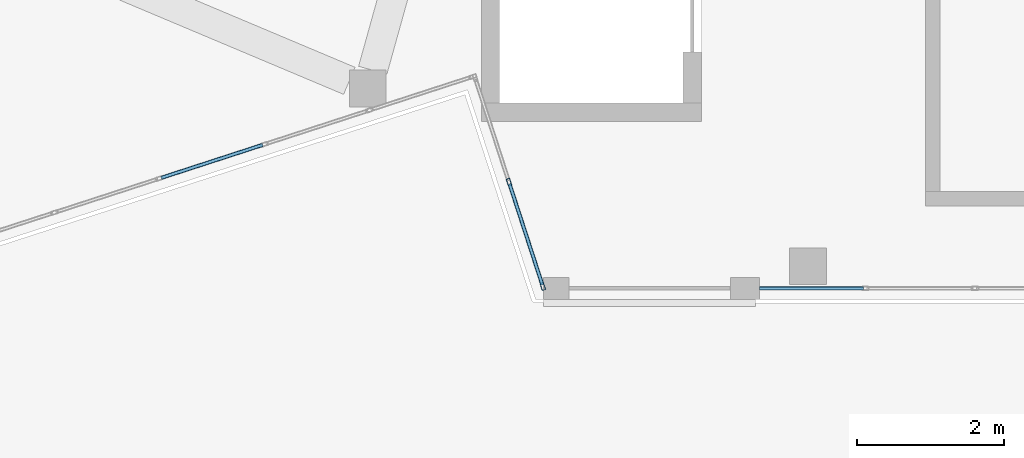
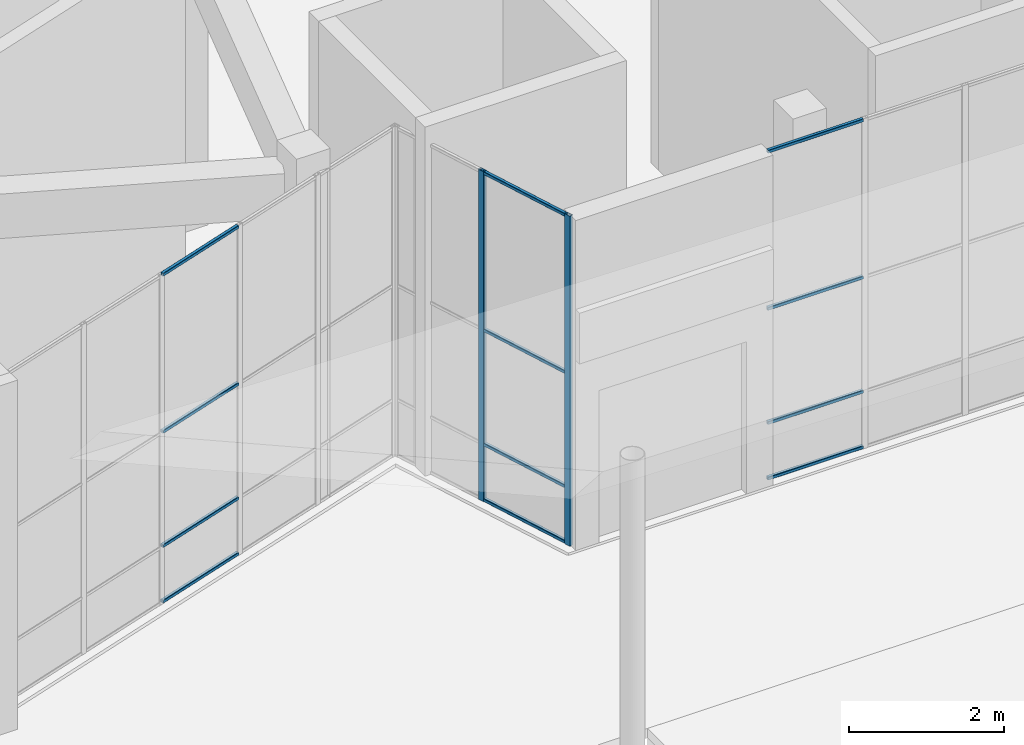
# One storey, part 5 of 72: 14 members, 3 elements without a shape of their own.
"""IFC4 building model written with IfcOpenShell, lengths in metres."""

from ifc_helpers import new_model, si_unit, direction, frame, origin, origin_2d, place, context, subcontext, project, spatial, hollow_rectangle, extrude, material, layer, layer_set, material_profile, profile_set, type_object, element, aggregate, save


model = new_model("IFC4")

# Units and contexts
model_context = context("Model", 3, precision=1e-05, world=origin(), true_north=direction((0.0, 1.0)))
body_context = subcontext(model_context, "Body", "Model", "MODEL_VIEW")
ifc_project = project(units=[si_unit("LENGTHUNIT", "METRE"), si_unit("AREAUNIT", "SQUARE_METRE"), si_unit("VOLUMEUNIT", "CUBIC_METRE"), si_unit("PLANEANGLEUNIT", "RADIAN"), si_unit("MASSUNIT", "GRAM", prefix="KILO")], contexts=[model_context])

# Site, building, storey
site_placement = place(None, origin())
site = spatial("IfcSite", under=ifc_project, at=site_placement, CompositionType="ELEMENT")
building_placement = place(site_placement, origin())
building = spatial("IfcBuilding", under=site, at=building_placement, Name="Tuart Plaza Theatre", CompositionType="ELEMENT")
storey_placement = place(building_placement, origin())
storey = spatial("IfcBuildingStorey", under=building, at=storey_placement, Name="L00", CompositionType="ELEMENT", Elevation=0.0)

# Curtain wall, members
ifc_material_1 = material(Name="Aluminium and glass", Category="aluminium")
ifc_layer = layer(ifc_material_1, 0.10009765625)
ifc_layer_set = layer_set([ifc_layer], Name="CURTAIN WALL 1500 module")
curtain_wall_type = type_object("IfcCurtainWallType", Name="CURTAIN WALL 1500 module", PredefinedType="NOTDEFINED", material=ifc_layer_set)
curtain_wall_1_placement = place(storey_placement, origin())
curtain_wall_1 = element("IfcCurtainWall", 1, at=curtain_wall_1_placement, inside=storey, type_object=curtain_wall_type, Name="CW2", PredefinedType="NOTDEFINED")
ifc_material_2 = material(Name="Aluminium 6063-T5", Category="aluminium")
ifc_material_profile_1 = material_profile(ifc_material_2, hollow_rectangle(XDim=0.050048828125, YDim=0.10009765625, WallThickness=0.00390625, InnerFilletRadius=0.00390625, OuterFilletRadius=0.008056640625, at=origin_2d()), Name="RHS 100x50x4")
ifc_profile_set_1 = profile_set([ifc_material_profile_1], Name="Aluminium 6063-T5")
member_type_1 = type_object("IfcMemberType", Name="MULLION RHS 100x50x4", PredefinedType="MULLION", material=ifc_profile_set_1)
member_1_placement = place(storey_placement, frame((79.126220703125, 43.924072265625, 0.0), z_axis=(0.0, 0.0, 1.0), x_axis=(0.951056113998, 0.309018232516, 0.0)))
member_1 = element("IfcMember", 2, at=member_1_placement, type_object=member_type_1, Name="CW2 mullion 2", PredefinedType="MULLION", context=body_context, shape_type="SweptSolid", body=[
    extrude(hollow_rectangle(XDim=0.050048828125, YDim=0.10009765625, WallThickness=0.00390625, InnerFilletRadius=0.00390625, OuterFilletRadius=0.008056640625, at=origin_2d()), origin(), (0.0, 0.0, 1.0), 5.199951171875),
])
member_2_placement = place(storey_placement, frame((79.588134765625, 42.501708984375, 0.0), z_axis=(0.0, 0.0, 1.0), x_axis=(0.951056113998, 0.309018232516, 0.0)))
member_2 = element("IfcMember", 3, at=member_2_placement, type_object=member_type_1, Name="CW2 mullion 3", PredefinedType="MULLION", context=body_context, shape_type="SweptSolid", body=[
    extrude(hollow_rectangle(XDim=0.050048828125, YDim=0.10009765625, WallThickness=0.00390625, InnerFilletRadius=0.00390625, OuterFilletRadius=0.008056640625, at=origin_2d()), origin(), (0.0, 0.0, 1.0), 5.199951171875),
])

curtain_wall_2_placement = place(storey_placement, origin())
curtain_wall_2 = element("IfcCurtainWall", 4, at=curtain_wall_2_placement, inside=storey, type_object=curtain_wall_type, Name="CW1", PredefinedType="NOTDEFINED")
ifc_material_3 = material(Name="Aluminium 6063-T5", Category="aluminium")
ifc_material_profile_2 = material_profile(ifc_material_3, hollow_rectangle(XDim=0.050048828125, YDim=0.050048828125, WallThickness=0.00390625, InnerFilletRadius=0.00390625, OuterFilletRadius=0.008056640625, at=origin_2d()), Name="RHS 50x50x4")
ifc_profile_set_2 = profile_set([ifc_material_profile_2], Name="Aluminium 6063-T5")
member_type_2 = type_object("IfcMemberType", Name="TRANSOM RHS 50x50x4", PredefinedType="USERDEFINED", material=ifc_profile_set_2)
member_3_placement = place(storey_placement, frame((74.38623046875, 43.982666015625, 0.02490234375), z_axis=(0.951039000848, 0.309070896182, 0.0), x_axis=(-0.309070896182, 0.951039000848, 0.0)))
member_3 = element("IfcMember", 5, at=member_3_placement, type_object=member_type_2, Name="CW1 transom 3.1", ObjectType="TRANSOM", PredefinedType="USERDEFINED", context=body_context, shape_type="SweptSolid", body=[
    extrude(hollow_rectangle(XDim=0.050048828125, YDim=0.050048828125, WallThickness=0.00390625, InnerFilletRadius=0.00390625, OuterFilletRadius=0.008056640625, at=origin_2d()), origin(), (0.0, 0.0, 1.0), 1.455078125),
])
member_4_placement = place(storey_placement, frame((74.38623046875, 43.982666015625, 0.89990234375), z_axis=(0.951039000848, 0.309070896182, 0.0), x_axis=(-0.309070896182, 0.951039000848, 0.0)))
member_4 = element("IfcMember", 6, at=member_4_placement, type_object=member_type_2, Name="CW1 transom 3.2", ObjectType="TRANSOM", PredefinedType="USERDEFINED", context=body_context, shape_type="SweptSolid", body=[
    extrude(hollow_rectangle(XDim=0.050048828125, YDim=0.050048828125, WallThickness=0.00390625, InnerFilletRadius=0.00390625, OuterFilletRadius=0.008056640625, at=origin_2d()), origin(), (0.0, 0.0, 1.0), 1.455078125),
])
member_5_placement = place(storey_placement, frame((74.38623046875, 43.982666015625, 2.699951171875), z_axis=(0.951039000848, 0.309070896182, 0.0), x_axis=(-0.309070896182, 0.951039000848, 0.0)))
member_5 = element("IfcMember", 7, at=member_5_placement, type_object=member_type_2, Name="CW1 transom 3.3", ObjectType="TRANSOM", PredefinedType="USERDEFINED", context=body_context, shape_type="SweptSolid", body=[
    extrude(hollow_rectangle(XDim=0.050048828125, YDim=0.050048828125, WallThickness=0.00390625, InnerFilletRadius=0.00390625, OuterFilletRadius=0.008056640625, at=origin_2d()), origin(), (0.0, 0.0, 1.0), 1.455078125),
])
member_6_placement = place(storey_placement, frame((74.38623046875, 43.982666015625, 5.175048828125), z_axis=(0.951039000848, 0.309070896182, 0.0), x_axis=(-0.309070896182, 0.951039000848, 0.0)))
member_6 = element("IfcMember", 8, at=member_6_placement, type_object=member_type_2, Name="CW1 transom 3.4", ObjectType="TRANSOM", PredefinedType="USERDEFINED", context=body_context, shape_type="SweptSolid", body=[
    extrude(hollow_rectangle(XDim=0.050048828125, YDim=0.050048828125, WallThickness=0.00390625, InnerFilletRadius=0.00390625, OuterFilletRadius=0.008056640625, at=origin_2d()), origin(), (0.0, 0.0, 1.0), 1.455078125),
])
aggregate(curtain_wall_2, [member_3, member_4, member_5, member_6])

# Member
member_7_placement = place(storey_placement, frame((79.1337890625, 43.900146484375, 0.02490234375), z_axis=(0.309124267762, -0.95102165437, 0.0), x_axis=(0.95102165437, 0.309124267762, 0.0)))
member_7 = element("IfcMember", 9, at=member_7_placement, type_object=member_type_2, Name="CW2 transom 2.1", ObjectType="TRANSOM", PredefinedType="USERDEFINED", context=body_context, shape_type="SweptSolid", body=[
    extrude(hollow_rectangle(XDim=0.050048828125, YDim=0.050048828125, WallThickness=0.00390625, InnerFilletRadius=0.00390625, OuterFilletRadius=0.008056640625, at=origin_2d()), origin(), (0.0, 0.0, 1.0), 1.4453125),
])

member_8_placement = place(storey_placement, frame((79.1337890625, 43.900146484375, 0.89990234375), z_axis=(0.309124267762, -0.95102165437, 0.0), x_axis=(0.95102165437, 0.309124267762, 0.0)))
member_8 = element("IfcMember", 10, at=member_8_placement, type_object=member_type_2, Name="CW2 transom 2.2", ObjectType="TRANSOM", PredefinedType="USERDEFINED", context=body_context, shape_type="SweptSolid", body=[
    extrude(hollow_rectangle(XDim=0.050048828125, YDim=0.050048828125, WallThickness=0.00390625, InnerFilletRadius=0.00390625, OuterFilletRadius=0.008056640625, at=origin_2d()), origin(), (0.0, 0.0, 1.0), 1.4453125),
])

member_9_placement = place(storey_placement, frame((79.1337890625, 43.900146484375, 2.699951171875), z_axis=(0.309124267762, -0.95102165437, 0.0), x_axis=(0.95102165437, 0.309124267762, 0.0)))
member_9 = element("IfcMember", 11, at=member_9_placement, type_object=member_type_2, Name="CW2 transom 2.3", ObjectType="TRANSOM", PredefinedType="USERDEFINED", context=body_context, shape_type="SweptSolid", body=[
    extrude(hollow_rectangle(XDim=0.050048828125, YDim=0.050048828125, WallThickness=0.00390625, InnerFilletRadius=0.00390625, OuterFilletRadius=0.008056640625, at=origin_2d()), origin(), (0.0, 0.0, 1.0), 1.4453125),
])

member_10_placement = place(storey_placement, frame((79.1337890625, 43.900146484375, 5.175048828125), z_axis=(0.309124267762, -0.95102165437, 0.0), x_axis=(0.95102165437, 0.309124267762, 0.0)))
member_10 = element("IfcMember", 12, at=member_10_placement, type_object=member_type_2, Name="CW2 transom 2.4", ObjectType="TRANSOM", PredefinedType="USERDEFINED", context=body_context, shape_type="SweptSolid", body=[
    extrude(hollow_rectangle(XDim=0.050048828125, YDim=0.050048828125, WallThickness=0.00390625, InnerFilletRadius=0.00390625, OuterFilletRadius=0.008056640625, at=origin_2d()), origin(), (0.0, 0.0, 1.0), 1.4453125),
])

aggregate(curtain_wall_1, [member_1, member_2, member_7, member_8, member_9, member_10])

# Curtain wall, members
curtain_wall_3_placement = place(storey_placement, origin())
curtain_wall_3 = element("IfcCurtainWall", 13, at=curtain_wall_3_placement, inside=storey, type_object=curtain_wall_type, Name="CW3", PredefinedType="NOTDEFINED")
member_11_placement = place(storey_placement, frame((82.537109375, 42.47802734375, 0.02490234375), z_axis=(1.0, 0.0, 0.0), x_axis=(0.0, 1.0, 0.0)))
member_11 = element("IfcMember", 14, at=member_11_placement, type_object=member_type_2, Name="CW3 transom 1.1", ObjectType="TRANSOM", PredefinedType="USERDEFINED", context=body_context, shape_type="SweptSolid", body=[
    extrude(hollow_rectangle(XDim=0.050048828125, YDim=0.050048828125, WallThickness=0.00390625, InnerFilletRadius=0.00390625, OuterFilletRadius=0.008056640625, at=origin_2d()), origin(), (0.0, 0.0, 1.0), 1.4189453125),
])
member_12_placement = place(storey_placement, frame((82.537109375, 42.47802734375, 0.89990234375), z_axis=(1.0, 0.0, 0.0), x_axis=(0.0, 1.0, 0.0)))
member_12 = element("IfcMember", 15, at=member_12_placement, type_object=member_type_2, Name="CW3 transom 1.2", ObjectType="TRANSOM", PredefinedType="USERDEFINED", context=body_context, shape_type="SweptSolid", body=[
    extrude(hollow_rectangle(XDim=0.050048828125, YDim=0.050048828125, WallThickness=0.00390625, InnerFilletRadius=0.00390625, OuterFilletRadius=0.008056640625, at=origin_2d()), origin(), (0.0, 0.0, 1.0), 1.4189453125),
])
member_13_placement = place(storey_placement, frame((82.537109375, 42.47802734375, 2.699951171875), z_axis=(1.0, 0.0, 0.0), x_axis=(0.0, 1.0, 0.0)))
member_13 = element("IfcMember", 16, at=member_13_placement, type_object=member_type_2, Name="CW3 transom 1.3", ObjectType="TRANSOM", PredefinedType="USERDEFINED", context=body_context, shape_type="SweptSolid", body=[
    extrude(hollow_rectangle(XDim=0.050048828125, YDim=0.050048828125, WallThickness=0.00390625, InnerFilletRadius=0.00390625, OuterFilletRadius=0.008056640625, at=origin_2d()), origin(), (0.0, 0.0, 1.0), 1.4189453125),
])
member_14_placement = place(storey_placement, frame((82.537109375, 42.47802734375, 5.175048828125), z_axis=(1.0, 0.0, 0.0), x_axis=(0.0, 1.0, 0.0)))
member_14 = element("IfcMember", 17, at=member_14_placement, type_object=member_type_2, Name="CW3 transom 1.4", ObjectType="TRANSOM", PredefinedType="USERDEFINED", context=body_context, shape_type="SweptSolid", body=[
    extrude(hollow_rectangle(XDim=0.050048828125, YDim=0.050048828125, WallThickness=0.00390625, InnerFilletRadius=0.00390625, OuterFilletRadius=0.008056640625, at=origin_2d()), origin(), (0.0, 0.0, 1.0), 1.4189453125),
])
aggregate(curtain_wall_3, [member_11, member_12, member_13, member_14])

save(model, "model.ifc")
